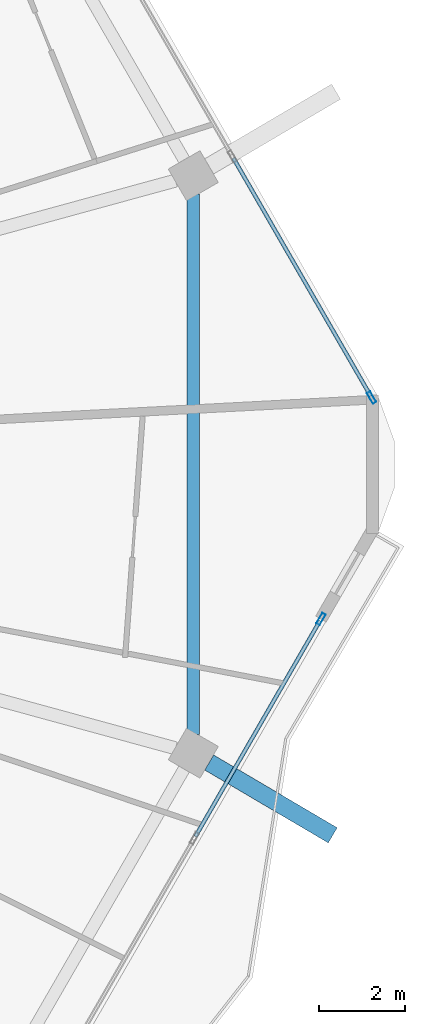
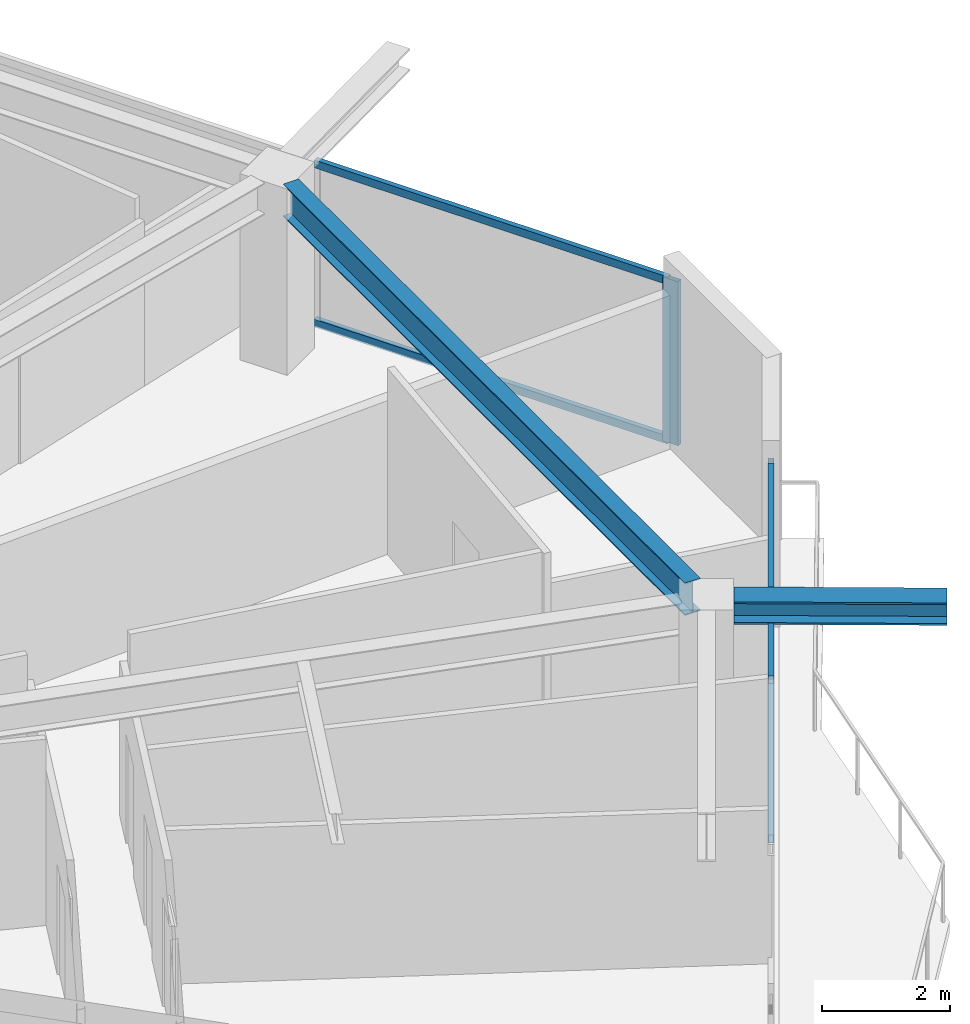
# One storey, part 10 of 26: 6 members, 2 beams, 2 elements without a shape of their own.
"""IFC4 building model written with IfcOpenShell, lengths in metres."""

import ifcopenshell
import ifcopenshell.guid

model = None  # the IFC model being written
_history = None  # IfcOwnerHistory: only IFC2X3 demands one
_inside = {}  # id of a spatial element -> (the spatial element, [elements in it])
_under = {}  # id of a project, library or spatial element -> (it, [spatial elements below it])
_declared = {}  # id of a project -> (the project, [libraries it declares])
_typed = {}  # id of a type object -> (the type object, [elements of that type])
_made_of = {}  # id of a material, layer set ... -> (it, [elements and type objects made of it])


def new_model(schema):
    """Start an empty IFC model of exactly this schema.

    Asked for "IFC4X3", IfcOpenShell would pick the latest addendum, in which some entities
    have other attributes; the version numbers below select the first issue.
    IFC2X3 requires an IfcOwnerHistory on every rooted entity: one is made here for all.
    """
    global model, _history
    if schema == "IFC4X3":
        model = ifcopenshell.file(schema_version=(4, 3, 0, 0))
    else:
        model = ifcopenshell.file(schema=schema)
    _inside.clear()
    _under.clear()
    _declared.clear()
    _typed.clear()
    _made_of.clear()
    _history = None
    if model.schema == "IFC2X3":
        org = make("IfcOrganization", Name="unknown")
        user = make(
            "IfcPersonAndOrganization",
            ThePerson=make("IfcPerson", FamilyName="unknown"),
            TheOrganization=org,
        )
        app = make(
            "IfcApplication",
            ApplicationDeveloper=org,
            Version="unknown",
            ApplicationFullName="unknown",
            ApplicationIdentifier="unknown",
        )
        _history = make(
            "IfcOwnerHistory",
            OwningUser=user,
            OwningApplication=app,
            ChangeAction="ADDED",
            CreationDate=0,
        )
    return model


def make(cls, **values):
    """One entity of the class cls with the attributes given. An attribute that is None is left unset."""
    return model.create_entity(
        cls, **{name: value for name, value in values.items() if value is not None}
    )


def rooted(cls, **values):
    """An entity with a GlobalId (a new one), such as an element, a storey or a relation."""
    return make(cls, GlobalId=ifcopenshell.guid.new(), OwnerHistory=_history, **values)


def si_unit(unit_type, name, prefix=None):
    """IfcSIUnit, for example si_unit("LENGTHUNIT", "METRE", prefix="MILLI")."""
    return make("IfcSIUnit", UnitType=unit_type, Prefix=prefix, Name=name)


def assignment(units):
    """IfcUnitAssignment: the units of a project."""
    return None if units is None else make("IfcUnitAssignment", Units=units)


def point(xyz):
    """IfcCartesianPoint."""
    return None if xyz is None else make("IfcCartesianPoint", Coordinates=xyz)


def direction(xyz):
    """IfcDirection."""
    return None if xyz is None else make("IfcDirection", DirectionRatios=xyz)


def frame(location, z_axis=None, x_axis=None):
    """IfcAxis2Placement3D, a coordinate frame: its origin and axes. An axis left out is left unset."""
    return make(
        "IfcAxis2Placement3D",
        Location=point(location),
        Axis=direction(z_axis),
        RefDirection=direction(x_axis),
    )


def frame_2d(location, x_axis=None):
    """IfcAxis2Placement2D, a coordinate frame in the plane: its origin and x axis."""
    return make(
        "IfcAxis2Placement2D", Location=point(location), RefDirection=direction(x_axis)
    )


def origin():
    """The frame at (0, 0, 0) with its axes left unset."""
    return frame((0.0, 0.0, 0.0))


def origin_2d():
    """The frame at (0, 0) in the plane with its x axis left unset."""
    return frame_2d((0.0, 0.0))


def place(relative_to, where):
    """IfcLocalPlacement: puts the frame where relative to a parent placement (None: the world)."""
    return make(
        "IfcLocalPlacement", PlacementRelTo=relative_to, RelativePlacement=where
    )


def context(
    kind, dimensions, precision=None, world=None, true_north=None, identifier=None
):
    """IfcGeometricRepresentationContext, for example the 3D "Model" context."""
    return make(
        "IfcGeometricRepresentationContext",
        ContextIdentifier=identifier,
        ContextType=kind,
        CoordinateSpaceDimension=dimensions,
        Precision=precision,
        WorldCoordinateSystem=world,
        TrueNorth=true_north,
    )


def subcontext(parent, identifier, kind, view, scale=None):
    """IfcGeometricRepresentationSubContext, for example "Body" below "Model"."""
    return make(
        "IfcGeometricRepresentationSubContext",
        ContextIdentifier=identifier,
        ContextType=kind,
        ParentContext=parent,
        TargetScale=scale,
        TargetView=view,
    )


def project(units=None, contexts=None):
    """IfcProject with its units and contexts."""
    return rooted(
        "IfcProject",
        Name="project",
        RepresentationContexts=contexts,
        UnitsInContext=assignment(units),
    )


def spatial(cls, under=None, at=None, **own):
    """A site, building, storey or space (cls), placed at a placement, below another one or the project."""
    s = rooted(cls, ObjectPlacement=at, **own)
    if under is not None:
        _under.setdefault(under.id(), (under, []))[1].append(s)
    return s


def profile(cls, at=None, kind="AREA", **sizes):
    """A parametric profile (cls). Its sizes go by their IFC names, for example OverallWidth=200.0."""
    return make(cls, ProfileType=kind, Position=at, **sizes)


def hollow_rectangle(**sizes):
    """IfcRectangleHollowProfileDef."""
    return profile("IfcRectangleHollowProfileDef", **sizes)


def i_section(**sizes):
    """IfcIShapeProfileDef."""
    return profile("IfcIShapeProfileDef", **sizes)


def extrude(swept, where, along, depth):
    """IfcExtrudedAreaSolid: the profile swept, set in the frame where, extruded along a direction by depth."""
    return make(
        "IfcExtrudedAreaSolid",
        SweptArea=swept,
        Position=where,
        ExtrudedDirection=direction(along),
        Depth=depth,
    )


def shape(context_of_items, identifier, shape_type, items):
    """IfcShapeRepresentation: the items that make up one representation, for example the "Body"."""
    return make(
        "IfcShapeRepresentation",
        ContextOfItems=context_of_items,
        RepresentationIdentifier=identifier,
        RepresentationType=shape_type,
        Items=items,
    )


def material(Name=None, Category=None):
    """IfcMaterial."""
    return make("IfcMaterial", Name=Name, Category=Category)


def material_profile(
    of_material, cross_section, Name=None, Category=None, Priority=None
):
    """IfcMaterialProfile: a cross section and its material."""
    return make(
        "IfcMaterialProfile",
        Name=Name,
        Material=of_material,
        Profile=cross_section,
        Priority=Priority,
        Category=Category,
    )


def profile_set(profiles, Name=None, composite=None):
    """IfcMaterialProfileSet."""
    return make(
        "IfcMaterialProfileSet",
        Name=Name,
        MaterialProfiles=profiles,
        CompositeProfile=composite,
    )


def made_of(thing, what):
    """Note that an element or type object is made of a material, layer set ...; save() writes the relation."""
    if what is not None:
        _made_of.setdefault(what.id(), (what, []))[1].append(thing)
    return thing


def type_object(cls, material=None, **own):
    """A type object (cls), such as IfcWallType, which elements share."""
    return made_of(rooted(cls, **own), material)


def element(
    cls,
    number,
    at=None,
    inside=None,
    cuts=None,
    type_object=None,
    material=None,
    context=None,
    identifier="Body",
    shape_type=None,
    held_by="IfcProductDefinitionShape",
    body=None,
    shapes=None,
    **own,
):
    """One element of the class cls, such as IfcWall. Its Tag is "e" and its number.

    at: its placement. inside: the storey or other place that contains it. cuts: it is an
    opening in that element (IfcRelVoidsElement). A single representation is given by context,
    identifier, shape_type and body (its items); several are given by shapes. held_by: the class
    of the entity that holds the representations. save() writes the other relations.
    """
    e = rooted(cls, Tag="e%d" % number, ObjectPlacement=at, **own)
    if body is not None:
        shapes = [shape(context, identifier, shape_type, body)]
    if shapes is not None:
        e.Representation = make(held_by, Representations=shapes)
    if inside is not None:
        _inside.setdefault(inside.id(), (inside, []))[1].append(e)
    if cuts is not None:
        rooted(
            "IfcRelVoidsElement", RelatingBuildingElement=cuts, RelatedOpeningElement=e
        )
    if type_object is not None:
        _typed.setdefault(type_object.id(), (type_object, []))[1].append(e)
    return made_of(e, material)


def aggregate(whole, parts):
    """IfcRelAggregates: a whole, such as a stair, and the parts it consists of."""
    return rooted("IfcRelAggregates", RelatingObject=whole, RelatedObjects=parts)


def save(model, path):
    """Write the relations noted so far, then the file.

    IfcRelAggregates (storeys below a building ...), IfcRelContainedInSpatialStructure (elements
    in a storey), IfcRelDefinesByType, IfcRelAssociatesMaterial and IfcRelDeclares: one each for
    every whole, place, type object, material and project.
    """
    for whole, parts in _under.values():
        aggregate(whole, parts)
    for where, things in _inside.values():
        rooted(
            "IfcRelContainedInSpatialStructure",
            RelatedElements=things,
            RelatingStructure=where,
        )
    for kind, things in _typed.values():
        rooted("IfcRelDefinesByType", RelatedObjects=things, RelatingType=kind)
    for what, things in _made_of.values():
        rooted("IfcRelAssociatesMaterial", RelatedObjects=things, RelatingMaterial=what)
    for by, libraries in _declared.values():
        rooted("IfcRelDeclares", RelatingContext=by, RelatedDefinitions=libraries)
    model.write(path)


model = new_model("IFC4")

# Units and contexts
model_context = context("Model", 3, precision=1e-05, world=origin(), true_north=direction((0.0, 1.0)))
body_context = subcontext(model_context, "Body", "Model", "MODEL_VIEW")
ifc_project = project(units=[si_unit("LENGTHUNIT", "METRE"), si_unit("AREAUNIT", "SQUARE_METRE"), si_unit("VOLUMEUNIT", "CUBIC_METRE"), si_unit("PLANEANGLEUNIT", "RADIAN"), si_unit("MASSUNIT", "GRAM", prefix="KILO")], contexts=[model_context])

# Site, building, storey
site_placement = place(None, origin())
site = spatial("IfcSite", under=ifc_project, at=site_placement, CompositionType="ELEMENT")
building_placement = place(site_placement, origin())
building = spatial("IfcBuilding", under=site, at=building_placement, Name="Zuhravey Tower", CompositionType="ELEMENT")
storey_placement = place(building_placement, frame((0.0, 0.0, 280.60009765625)))
storey = spatial("IfcBuildingStorey", under=building, at=storey_placement, Name="L71", CompositionType="ELEMENT", Elevation=280.60009765625)

# Curtain wall, member
ifc_material_1 = material(Name="Thermally broken anodised aluminium", Category="aluminium")
curtain_wall_type = type_object("IfcCurtainWallType", Name="Zone 3-4 High-Rise Curtain Wall CW4", PredefinedType="NOTDEFINED", material=ifc_material_1)
curtain_wall_1_placement = place(storey_placement, origin())
curtain_wall_1 = element("IfcCurtainWall", 1, at=curtain_wall_1_placement, inside=storey, type_object=curtain_wall_type, Name="L71 CW4 CW-L71-F6-1", PredefinedType="NOTDEFINED")
ifc_material_2 = material(Name="Anodised aluminium", Category="aluminium")
ifc_material_profile_1 = material_profile(ifc_material_2, hollow_rectangle(XDim=0.090087890625, YDim=0.284912109375, WallThickness=0.0048828125, at=origin_2d()), Name="ALU-RHS-90x285x5")
ifc_profile_set_1 = profile_set([ifc_material_profile_1], Name="Anodised aluminium")
member_type_1 = type_object("IfcMemberType", Name="Curtain-Wall Mullion 90x180", PredefinedType="MULLION", material=ifc_profile_set_1)
member_1_placement = place(storey_placement, frame((63.447509765625, 28.413330078125, 0.0), z_axis=(0.0, 0.0, 1.0), x_axis=(0.866024370591, -0.500001789539, 0.0)))
member_1 = element("IfcMember", 2, at=member_1_placement, type_object=member_type_1, Name="CW4 mullion 1", PredefinedType="MULLION", context=body_context, shape_type="SweptSolid", body=[
    extrude(hollow_rectangle(XDim=0.090087890625, YDim=0.284912109375, WallThickness=0.0048828125, at=origin_2d()), origin(), (0.0, 0.0, 1.0), 3.121826171875),
])

curtain_wall_2_placement = place(storey_placement, origin())
curtain_wall_2 = element("IfcCurtainWall", 3, at=curtain_wall_2_placement, inside=storey, type_object=curtain_wall_type, Name="L71 CW4 CW-L71-F1-1", PredefinedType="NOTDEFINED")
member_2_placement = place(storey_placement, frame((64.62255859375, 33.551513671875, 0.0), z_axis=(0.0, 0.0, 1.0), x_axis=(0.866024851021, 0.500000957414, 0.0)))
member_2 = element("IfcMember", 4, at=member_2_placement, type_object=member_type_1, Name="CW4 mullion 5", PredefinedType="MULLION", context=body_context, shape_type="SweptSolid", body=[
    extrude(hollow_rectangle(XDim=0.090087890625, YDim=0.284912109375, WallThickness=0.0048828125, at=origin_2d()), origin(), (0.0, 0.0, 1.0), 3.121826171875),
])

# Member
ifc_material_profile_2 = material_profile(ifc_material_2, hollow_rectangle(XDim=0.090087890625, YDim=0.14990234375, WallThickness=0.0048828125, at=origin_2d()), Name="ALU-RHS-90x150x5")
ifc_profile_set_2 = profile_set([ifc_material_profile_2], Name="Anodised aluminium")
member_type_2 = type_object("IfcMemberType", Name="Curtain-Wall Transom 90x150", PredefinedType="USERDEFINED", material=ifc_profile_set_2)
member_3_placement = place(storey_placement, frame((63.425048828125, 28.374267578125, 0.044921875), z_axis=(-0.500002592159, -0.866023907196, 0.0), x_axis=(0.866023907196, -0.500002592159, 0.0)))
member_3 = element("IfcMember", 5, at=member_3_placement, type_object=member_type_2, Name="CW4 transom 1.1", ObjectType="TRANSOM", PredefinedType="USERDEFINED", context=body_context, shape_type="SweptSolid", body=[
    extrude(hollow_rectangle(XDim=0.090087890625, YDim=0.14990234375, WallThickness=0.0048828125, at=origin_2d()), origin(), (0.0, 0.0, 1.0), 5.78369140625),
])

member_4_placement = place(storey_placement, frame((63.425048828125, 28.374267578125, 3.076904296875), z_axis=(-0.500002592159, -0.866023907196, 0.0), x_axis=(0.866023907196, -0.500002592159, 0.0)))
member_4 = element("IfcMember", 6, at=member_4_placement, type_object=member_type_2, Name="CW4 transom 1.2", ObjectType="TRANSOM", PredefinedType="USERDEFINED", context=body_context, shape_type="SweptSolid", body=[
    extrude(hollow_rectangle(XDim=0.090087890625, YDim=0.14990234375, WallThickness=0.0048828125, at=origin_2d()), origin(), (0.0, 0.0, 1.0), 5.78369140625),
])

aggregate(curtain_wall_1, [member_1, member_3, member_4])

member_5_placement = place(storey_placement, frame((61.414306640625, 39.108154296875, 0.044921875), z_axis=(0.500008810174, -0.866020317169, 0.0), x_axis=(0.866020317169, 0.500008810174, 0.0)))
member_5 = element("IfcMember", 7, at=member_5_placement, type_object=member_type_2, Name="CW4 transom 4.1", ObjectType="TRANSOM", PredefinedType="USERDEFINED", context=body_context, shape_type="SweptSolid", body=[
    extrude(hollow_rectangle(XDim=0.090087890625, YDim=0.14990234375, WallThickness=0.0048828125, at=origin_2d()), origin(), (0.0, 0.0, 1.0), 6.37158203125),
])

member_6_placement = place(storey_placement, frame((61.414306640625, 39.108154296875, 3.076904296875), z_axis=(0.500008810174, -0.866020317169, 0.0), x_axis=(0.866020317169, 0.500008810174, 0.0)))
member_6 = element("IfcMember", 8, at=member_6_placement, type_object=member_type_2, Name="CW4 transom 4.2", ObjectType="TRANSOM", PredefinedType="USERDEFINED", context=body_context, shape_type="SweptSolid", body=[
    extrude(hollow_rectangle(XDim=0.090087890625, YDim=0.14990234375, WallThickness=0.0048828125, at=origin_2d()), origin(), (0.0, 0.0, 1.0), 6.37158203125),
])

aggregate(curtain_wall_2, [member_2, member_5, member_6])

# Beams
ifc_material_3 = material(Name="Steel SM460", Category="steel")
ifc_material_profile_3 = material_profile(ifc_material_3, i_section(OverallWidth=0.406982421875, OverallDepth=0.427978515625, WebThickness=0.02001953125, FlangeThickness=0.034912109375, at=origin_2d()), Name="H-428x407x20x35")
ifc_profile_set_3 = profile_set([ifc_material_profile_3], Name="Steel SM460")
beam_type_1 = type_object("IfcBeamType", Name="Exoskeleton Node Tie Beam H428x407", PredefinedType="BEAM", material=ifc_profile_set_3)
beam_1_placement = place(storey_placement, frame((60.854248046875, 25.083251953125, 3.3359375), z_axis=(0.861603813427, -0.507581391195, 0.0), x_axis=(0.507581391195, 0.861603813427, 0.0)))
element("IfcBeam", 9, at=beam_1_placement, inside=storey, type_object=beam_type_1, Name="L71 Exoskeleton Node Tie NT1-12", PredefinedType="BEAM", context=body_context, shape_type="SweptSolid", body=[
    extrude(i_section(OverallWidth=0.406982421875, OverallDepth=0.427978515625, WebThickness=0.02001953125, FlangeThickness=0.034912109375, at=origin_2d()), origin(), (0.0, 0.0, 1.0), 3.325927734375),
])
ifc_material_4 = material(Name="Steel SM355", Category="steel")
ifc_material_profile_4 = material_profile(ifc_material_4, i_section(OverallWidth=0.280029296875, OverallDepth=0.6201171875, WebThickness=0.011962890625, FlangeThickness=0.02001953125, at=origin_2d()), Name="H-620x280x12x20")
ifc_profile_set_4 = profile_set([ifc_material_profile_4], Name="Steel SM355")
beam_type_2 = type_object("IfcBeamType", Name="Perimeter Ring Beam H620x280", PredefinedType="BEAM", material=ifc_profile_set_4)
beam_2_placement = place(storey_placement, frame((60.484619140625, 25.72900390625, 3.239990234375), z_axis=(0.0, 1.0, 0.0), x_axis=(-1.0, 0.0, 0.0)))
element("IfcBeam", 10, at=beam_2_placement, inside=storey, type_object=beam_type_2, Name="L71 PB3 BM-L71-PB-12", PredefinedType="BEAM", context=body_context, shape_type="SweptSolid", body=[
    extrude(i_section(OverallWidth=0.280029296875, OverallDepth=0.6201171875, WebThickness=0.011962890625, FlangeThickness=0.02001953125, at=origin_2d()), origin(), (0.0, 0.0, 1.0), 12.5419921875),
])

save(model, "model.ifc")
